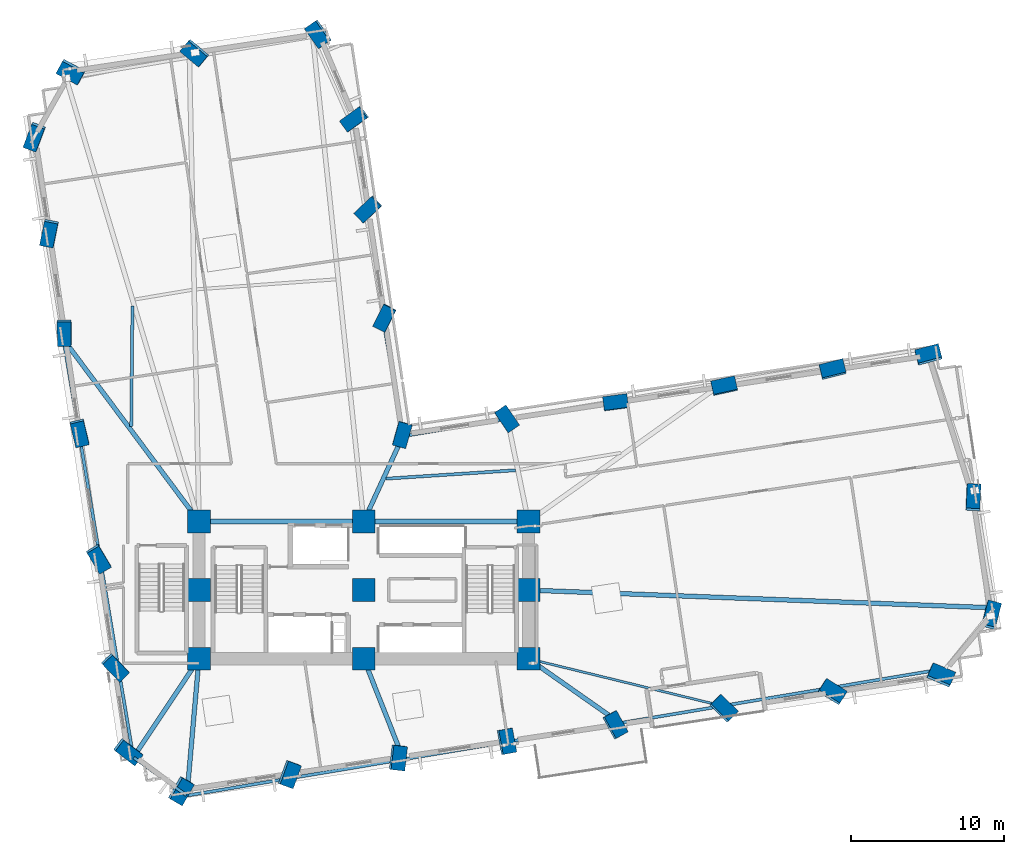
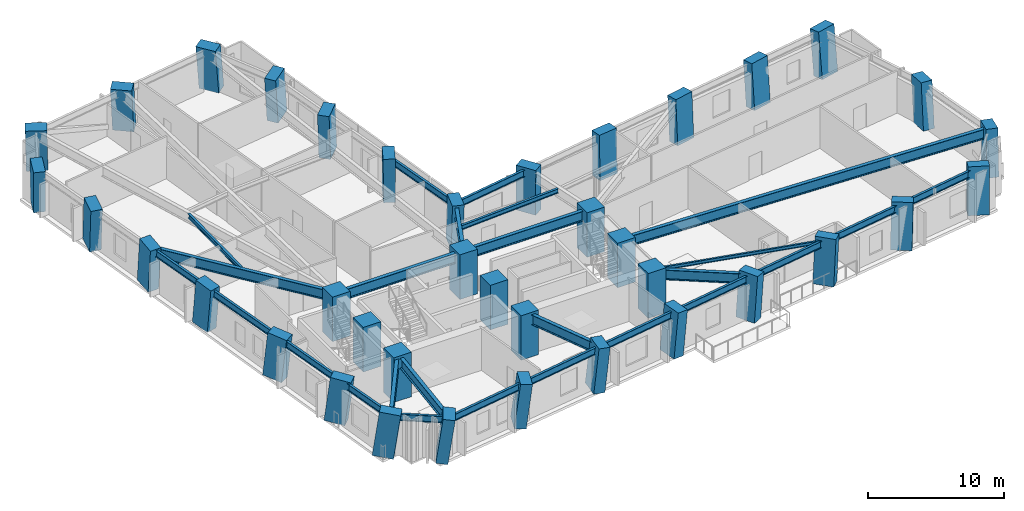
# One storey, part 1 of 15: 38 columns, 26 beams.
"""IFC4 building model written with IfcOpenShell, lengths in metres."""

from ifc_helpers import new_model, si_unit, direction, frame, origin, origin_2d, place, context, subcontext, project, spatial, rectangle, i_section, extrude, material, material_profile, profile_set, type_object, element, save


model = new_model("IFC4")

# Units and contexts
model_context = context("Model", 3, precision=1e-05, world=origin(), true_north=direction((0.0, 1.0)))
body_context = subcontext(model_context, "Body", "Model", "MODEL_VIEW")
ifc_project = project(units=[si_unit("LENGTHUNIT", "METRE"), si_unit("AREAUNIT", "SQUARE_METRE"), si_unit("VOLUMEUNIT", "CUBIC_METRE"), si_unit("PLANEANGLEUNIT", "RADIAN"), si_unit("MASSUNIT", "GRAM", prefix="KILO")], contexts=[model_context])

# Site, building, storey
site_placement = place(None, origin())
site = spatial("IfcSite", under=ifc_project, at=site_placement, CompositionType="ELEMENT")
building_placement = place(site_placement, origin())
building = spatial("IfcBuilding", under=site, at=building_placement, Name="Gaonmaruhae Medical Tower", CompositionType="ELEMENT")
storey_placement = place(building_placement, frame((0.0, 0.0, 59.0)))
storey = spatial("IfcBuildingStorey", under=building, at=storey_placement, Name="L13", CompositionType="ELEMENT", Elevation=59.0)

# Columns
ifc_material_1 = material(Name="Concrete C60/75", Category="concrete")
ifc_material_profile_1 = material_profile(ifc_material_1, rectangle(XDim=1.5, YDim=1.5, at=origin_2d()), Name="RC-1500x1500")
ifc_profile_set_1 = profile_set([ifc_material_profile_1], Name="Concrete C60/75")
column_type_1 = type_object("IfcColumnType", Name="CC-02 Zone 1 Core Column (RC-1500x1500)", PredefinedType="COLUMN", material=ifc_profile_set_1)
for number, where, z_axis, x_axis, name in (
    (1, (14.0, 7.800048828125, 0.0), (0.0, 0.0, 1.0), (1.0, 0.0, 0.0), "L13 Plumb Core Column CC11"),
    (2, (14.0, 12.300048828125, 0.0), (0.0, 0.0, 1.0), (1.0, 0.0, 0.0), "L13 Plumb Core Column CC12"),
    (3, (14.0, 16.800048828125, 0.0), (0.0, 0.0, 1.0), (1.0, 0.0, 0.0), "L13 Plumb Core Column CC13"),
    (4, (24.800048828125, 7.800048828125, 0.0), (0.0, 0.0, 1.0), (1.0, 0.0, 0.0), "L13 Plumb Core Column CC21"),
    (5, (24.800048828125, 12.300048828125, 0.0), (0.0, 0.0, 1.0), (1.0, 0.0, 0.0), "L13 Plumb Core Column CC22"),
    (6, (24.800048828125, 16.800048828125, 0.0), (0.0, 0.0, 1.0), (1.0, 0.0, 0.0), "L13 Plumb Core Column CC23"),
    (7, (35.60009765625, 7.800048828125, 0.0), (0.0, 0.0, 1.0), (1.0, 0.0, 0.0), "L13 Plumb Core Column CC31"),
    (8, (35.60009765625, 12.300048828125, 0.0), (0.0, 0.0, 1.0), (1.0, 0.0, 0.0), "L13 Plumb Core Column CC32"),
    (9, (35.60009765625, 16.800048828125, 0.0), (0.0, 0.0, 1.0), (1.0, 0.0, 0.0), "L13 Plumb Core Column CC33"),
):
    element("IfcColumn", number, at=place(storey_placement, frame(where, z_axis=z_axis, x_axis=x_axis)), inside=storey, type_object=column_type_1, Name=name, PredefinedType="COLUMN", context=body_context, shape_type="SweptSolid", body=[
        extrude(rectangle(XDim=1.5, YDim=1.5, at=origin_2d()), origin(), (0.0, 0.0, 1.0), 4.0),
    ])
ifc_material_profile_2 = material_profile(ifc_material_1, rectangle(XDim=1.60009765625, YDim=0.89990234375, at=origin_2d()), Name="RC-1600x900")
ifc_profile_set_2 = profile_set([ifc_material_profile_2], Name="Concrete C60/75")
column_type_2 = type_object("IfcColumnType", Name="TC-01 Lower Raking Tube Pier Column (RC-1600x900)", PredefinedType="COLUMN", material=ifc_profile_set_2)
column_1_placement = place(storey_placement, frame((12.779296875, -0.83056640625, 0.001708984375), z_axis=(0.105975864058, -0.0846112267, 0.990762361292), x_axis=(0.501887718623, 0.86469777143, 0.020161398238)))
element("IfcColumn", 10, at=column_1_placement, inside=storey, type_object=column_type_2, Name="L13 Perimeter Tube Column S01", PredefinedType="COLUMN", context=body_context, shape_type="SweptSolid", body=[
    extrude(rectangle(XDim=1.60009765625, YDim=0.89990234375, at=origin_2d()), origin(), (0.0, 0.0, 1.0), 4.033935546875),
])
column_2_placement = place(storey_placement, frame((19.8994140625, 0.239990234375, 0.001708984375), z_axis=(0.101572465572, -0.055579676502, 0.993274349713), x_axis=(0.345145565671, 0.938391292379, 0.017213973542)))
element("IfcColumn", 11, at=column_2_placement, inside=storey, type_object=column_type_2, Name="L13 Perimeter Tube Column S02", PredefinedType="COLUMN", context=body_context, shape_type="SweptSolid", body=[
    extrude(rectangle(XDim=1.60009765625, YDim=0.89990234375, at=origin_2d()), origin(), (0.0, 0.0, 1.0), 4.023681640625),
])
column_3_placement = place(storey_placement, frame((27.019287109375, 1.310546875, 0.001708984375), z_axis=(0.097061928974, -0.026316728394, 0.994930355226), x_axis=(0.116012789516, 0.99313518065, 0.014951442173)))
element("IfcColumn", 12, at=column_3_placement, inside=storey, type_object=column_type_2, Name="L13 Perimeter Tube Column S03", PredefinedType="COLUMN", context=body_context, shape_type="SweptSolid", body=[
    extrude(rectangle(XDim=1.60009765625, YDim=0.89990234375, at=origin_2d()), origin(), (0.0, 0.0, 1.0), 4.016845703125),
])
column_4_placement = place(storey_placement, frame((34.13916015625, 2.381103515625, 0.001708984375), z_axis=(0.092514972069, 0.002980429738, 0.995706832849), x_axis=(-0.179798499691, 0.983607197477, 0.01376156172)))
element("IfcColumn", 13, at=column_4_placement, inside=storey, type_object=column_type_2, Name="L13 Perimeter Tube Column S04", PredefinedType="COLUMN", context=body_context, shape_type="SweptSolid", body=[
    extrude(rectangle(XDim=1.60009765625, YDim=0.89990234375, at=origin_2d()), origin(), (0.0, 0.0, 1.0), 4.013916015625),
])
column_5_placement = place(storey_placement, frame((41.25927734375, 3.451416015625, 0.001708984375), z_axis=(0.087822940508, 0.032355820187, 0.995610482076), x_axis=(-0.480756753884, 0.876743589728, 0.013914793089)))
element("IfcColumn", 14, at=column_5_placement, inside=storey, type_object=column_type_2, Name="L13 Perimeter Tube Column S05", PredefinedType="COLUMN", context=body_context, shape_type="SweptSolid", body=[
    extrude(rectangle(XDim=1.60009765625, YDim=0.89990234375, at=origin_2d()), origin(), (0.0, 0.0, 1.0), 4.01416015625),
])
column_6_placement = place(storey_placement, frame((48.379150390625, 4.52197265625, 0.001708984375), z_axis=(0.083119020499, 0.061610151159, 0.994633308162), x_axis=(-0.707660412598, 0.706385257339, 0.01538208879)))
element("IfcColumn", 15, at=column_6_placement, inside=storey, type_object=column_type_2, Name="L13 Perimeter Tube Column S06", PredefinedType="COLUMN", context=body_context, shape_type="SweptSolid", body=[
    extrude(rectangle(XDim=1.60009765625, YDim=0.89990234375, at=origin_2d()), origin(), (0.0, 0.0, 1.0), 4.01806640625),
])
column_7_placement = place(storey_placement, frame((55.499267578125, 5.592529296875, 0.001708984375), z_axis=(0.078295416034, 0.090728073112, 0.992793152967), x_axis=(-0.845091693201, 0.534324419364, 0.017816985006)))
element("IfcColumn", 16, at=column_7_placement, inside=storey, type_object=column_type_2, Name="L13 Perimeter Tube Column S07", PredefinedType="COLUMN", context=body_context, shape_type="SweptSolid", body=[
    extrude(rectangle(XDim=1.60009765625, YDim=0.89990234375, at=origin_2d()), origin(), (0.0, 0.0, 1.0), 4.025634765625),
])
column_8_placement = place(storey_placement, frame((62.619140625, 6.6630859375, 0.001708984375), z_axis=(0.073425267017, 0.119694072015, 0.990091944866), x_axis=(-0.919893656997, 0.391611828806, 0.020876670152)))
element("IfcColumn", 17, at=column_8_placement, inside=storey, type_object=column_type_2, Name="L13 Perimeter Tube Column S08", PredefinedType="COLUMN", context=body_context, shape_type="SweptSolid", body=[
    extrude(rectangle(XDim=1.60009765625, YDim=0.89990234375, at=origin_2d()), origin(), (0.0, 0.0, 1.0), 4.03662109375),
])
column_9_placement = place(storey_placement, frame((65.9208984375, 10.59765625, 0.001708984375), z_axis=(0.057119322054, 0.133036643219, 0.989463811672), x_axis=(-0.2494157513, -0.95775452857, 0.143171386827)))
element("IfcColumn", 18, at=column_9_placement, inside=storey, type_object=column_type_2, Name="L13 Perimeter Tube Column E01", PredefinedType="COLUMN", context=body_context, shape_type="SweptSolid", body=[
    extrude(rectangle(XDim=1.60009765625, YDim=0.89990234375, at=origin_2d()), origin(), (0.0, 0.0, 1.0), 4.0390625),
])
column_10_placement = place(storey_placement, frame((64.76123046875, 18.310791015625, 0.001708984375), z_axis=(0.025557415951, 0.128271580531, 0.991409713548), x_axis=(-0.045765713476, -0.990543708864, 0.129339322325)))
element("IfcColumn", 19, at=column_10_placement, inside=storey, type_object=column_type_2, Name="L13 Perimeter Tube Column E02", PredefinedType="COLUMN", context=body_context, shape_type="SweptSolid", body=[
    extrude(rectangle(XDim=1.60009765625, YDim=0.89990234375, at=origin_2d()), origin(), (0.0, 0.0, 1.0), 4.03125),
])
column_11_placement = place(storey_placement, frame((61.835693359375, 27.68017578125, 0.001708984375), z_axis=(-0.012861832175, 0.116120503694, 0.993151852385), x_axis=(-0.966620527466, -0.255622879476, 0.017369495388)))
element("IfcColumn", 20, at=column_11_placement, inside=storey, type_object=column_type_2, Name="L13 Perimeter Tube Column E03", PredefinedType="COLUMN", context=body_context, shape_type="SweptSolid", body=[
    extrude(rectangle(XDim=1.60009765625, YDim=0.89990234375, at=origin_2d()), origin(), (0.0, 0.0, 1.0), 4.024169921875),
])
column_12_placement = place(storey_placement, frame((55.55615234375, 26.73583984375, 0.001708984375), z_axis=(-0.008760077746, 0.090581637247, 0.995850504861), x_axis=(-0.970042481698, -0.242558297354, 0.013529822077)))
element("IfcColumn", 21, at=column_12_placement, inside=storey, type_object=column_type_2, Name="L13 Perimeter Tube Column EN01", PredefinedType="COLUMN", context=body_context, shape_type="SweptSolid", body=[
    extrude(rectangle(XDim=1.60009765625, YDim=0.89990234375, at=origin_2d()), origin(), (0.0, 0.0, 1.0), 4.01318359375),
])
column_13_placement = place(storey_placement, frame((48.436279296875, 25.66552734375, 0.001708984375), z_axis=(-0.004085112023, 0.061337652165, 0.998108713661), x_axis=(-0.976839538376, -0.213777892359, 0.00913942032)))
element("IfcColumn", 22, at=column_13_placement, inside=storey, type_object=column_type_2, Name="L13 Perimeter Tube Column EN02", PredefinedType="COLUMN", context=body_context, shape_type="SweptSolid", body=[
    extrude(rectangle(XDim=1.60009765625, YDim=0.89990234375, at=origin_2d()), origin(), (0.0, 0.0, 1.0), 4.004150390625),
])
column_14_placement = place(storey_placement, frame((41.316162109375, 24.594970703125, 0.001708984375), z_axis=(0.000610560717, 0.031993381587, 0.999487894249), x_axis=(-0.991541763684, -0.129700801912, 0.00475739999)))
element("IfcColumn", 23, at=column_14_placement, inside=storey, type_object=column_type_2, Name="L13 Perimeter Tube Column EN03", PredefinedType="COLUMN", context=body_context, shape_type="SweptSolid", body=[
    extrude(rectangle(XDim=1.60009765625, YDim=0.89990234375, at=origin_2d()), origin(), (0.0, 0.0, 1.0), 3.99853515625),
])
column_15_placement = place(storey_placement, frame((34.1962890625, 23.5244140625, 0.001708984375), z_axis=(0.005253423551, 0.002504539135, 0.999983064269), x_axis=(-0.559757709656, 0.828655874178, 0.000865257922)))
element("IfcColumn", 24, at=column_15_placement, inside=storey, type_object=column_type_2, Name="L13 Perimeter Tube Column EN04", PredefinedType="COLUMN", context=body_context, shape_type="SweptSolid", body=[
    extrude(rectangle(XDim=1.60009765625, YDim=0.89990234375, at=origin_2d()), origin(), (0.0, 0.0, 1.0), 3.99658203125),
])
column_16_placement = place(storey_placement, frame((27.323486328125, 22.4912109375, 0.001708984375), z_axis=(0.009770218113, -0.025952141862, 0.999615440642), x_axis=(0.272727110084, 0.961832825284, 0.022305596404)))
element("IfcColumn", 25, at=column_16_placement, inside=storey, type_object=column_type_2, Name="L13 Perimeter Tube Column KN01", PredefinedType="COLUMN", context=body_context, shape_type="SweptSolid", body=[
    extrude(rectangle(XDim=1.60009765625, YDim=0.89990234375, at=origin_2d()), origin(), (0.0, 0.0, 1.0), 3.998046875),
])
column_17_placement = place(storey_placement, frame((26.171142578125, 30.155029296875, 0.001708984375), z_axis=(-0.021914585822, -0.030949011175, 0.999280696119), x_axis=(0.449715530526, 0.892384243507, 0.037500713923)))
element("IfcColumn", 26, at=column_17_placement, inside=storey, type_object=column_type_2, Name="L13 Perimeter Tube Column NE01", PredefinedType="COLUMN", context=body_context, shape_type="SweptSolid", body=[
    extrude(rectangle(XDim=1.60009765625, YDim=0.89990234375, at=origin_2d()), origin(), (0.0, 0.0, 1.0), 3.99951171875),
])
column_18_placement = place(storey_placement, frame((25.100830078125, 37.27490234375, 0.001708984375), z_axis=(-0.051335188808, -0.035544435956, 0.998048742027), x_axis=(0.726800201877, 0.684067930172, 0.061745716144)))
element("IfcColumn", 27, at=column_18_placement, inside=storey, type_object=column_type_2, Name="L13 Perimeter Tube Column NE02", PredefinedType="COLUMN", context=body_context, shape_type="SweptSolid", body=[
    extrude(rectangle(XDim=1.60009765625, YDim=0.89990234375, at=origin_2d()), origin(), (0.0, 0.0, 1.0), 4.00439453125),
])
column_19_placement = place(storey_placement, frame((24.208740234375, 43.208251953125, 0.001708984375), z_axis=(-0.075715415354, -0.039379319722, 0.996351566996), x_axis=(0.805520773142, 0.586526828965, 0.084395277955)))
element("IfcColumn", 28, at=column_19_placement, inside=storey, type_object=column_type_2, Name="L13 Perimeter Tube Column NE03", PredefinedType="COLUMN", context=body_context, shape_type="SweptSolid", body=[
    extrude(rectangle(XDim=1.60009765625, YDim=0.89990234375, at=origin_2d()), origin(), (0.0, 0.0, 1.0), 4.01123046875),
])
column_20_placement = place(storey_placement, frame((21.85546875, 48.770263671875, 0.001708984375), z_axis=(-0.098301160351, -0.04918093878, 0.993940701015), x_axis=(0.574616565442, -0.818259586508, 0.016341719877)))
element("IfcColumn", 29, at=column_20_placement, inside=storey, type_object=column_type_2, Name="L13 Perimeter Tube Column N01", PredefinedType="COLUMN", context=body_context, shape_type="SweptSolid", body=[
    extrude(rectangle(XDim=1.60009765625, YDim=0.89990234375, at=origin_2d()), origin(), (0.0, 0.0, 1.0), 4.02099609375),
])
column_21_placement = place(storey_placement, frame((13.746826171875, 47.551025390625, 0.001708984375), z_axis=(-0.092921619704, -0.082435357337, 0.992254999711), x_axis=(0.766615105201, -0.64184127574, 0.018467734958)))
element("IfcColumn", 30, at=column_21_placement, inside=storey, type_object=column_type_2, Name="L13 Perimeter Tube Column N02", PredefinedType="COLUMN", context=body_context, shape_type="SweptSolid", body=[
    extrude(rectangle(XDim=1.60009765625, YDim=0.89990234375, at=origin_2d()), origin(), (0.0, 0.0, 1.0), 4.02783203125),
])
column_22_placement = place(storey_placement, frame((5.637939453125, 46.33203125, 0.001708984375), z_axis=(-0.087401375446, -0.115447183335, 0.989460937799), x_axis=(0.877219279252, -0.479607017273, 0.021527774881)))
element("IfcColumn", 31, at=column_22_placement, inside=storey, type_object=column_type_2, Name="L13 Perimeter Tube Column N03", PredefinedType="COLUMN", context=body_context, shape_type="SweptSolid", body=[
    extrude(rectangle(XDim=1.60009765625, YDim=0.89990234375, at=origin_2d()), origin(), (0.0, 0.0, 1.0), 4.0390625),
])
column_23_placement = place(storey_placement, frame((3.24365234375, 42.07861328125, 0.001708984375), z_axis=(-0.06982815003, -0.125086097327, 0.989685554971), x_axis=(0.347229843734, 0.927018097082, 0.141664686156)))
element("IfcColumn", 32, at=column_23_placement, inside=storey, type_object=column_type_2, Name="L13 Perimeter Tube Column W01", PredefinedType="COLUMN", context=body_context, shape_type="SweptSolid", body=[
    extrude(rectangle(XDim=1.60009765625, YDim=0.89990234375, at=origin_2d()), origin(), (0.0, 0.0, 1.0), 4.038330078125),
])
column_24_placement = place(storey_placement, frame((4.195068359375, 35.749755859375, 0.001708984375), z_axis=(-0.043979168177, -0.121215310638, 0.991651491822), x_axis=(0.194699822044, 0.972539038983, 0.127513908846)))
element("IfcColumn", 33, at=column_24_placement, inside=storey, type_object=column_type_2, Name="L13 Perimeter Tube Column W02", PredefinedType="COLUMN", context=body_context, shape_type="SweptSolid", body=[
    extrude(rectangle(XDim=1.60009765625, YDim=0.89990234375, at=origin_2d()), origin(), (0.0, 0.0, 1.0), 4.0302734375),
])
column_25_placement = place(storey_placement, frame((5.176513671875, 29.22314453125, 0.001708984375), z_axis=(-0.017226797387, -0.117130090682, 0.99296715923), x_axis=(-0.00421044589, 0.993114222476, 0.117074391996)))
element("IfcColumn", 34, at=column_25_placement, inside=storey, type_object=column_type_2, Name="L13 Perimeter Tube Column W03", PredefinedType="COLUMN", context=body_context, shape_type="SweptSolid", body=[
    extrude(rectangle(XDim=1.60009765625, YDim=0.89990234375, at=origin_2d()), origin(), (0.0, 0.0, 1.0), 4.02490234375),
])
column_26_placement = place(storey_placement, frame((6.165283203125, 22.64697265625, 0.001708984375), z_axis=(0.009771720065, -0.112890679013, 0.993559363138), x_axis=(-0.232847622535, 0.966036229654, 0.112053503628)))
element("IfcColumn", 35, at=column_26_placement, inside=storey, type_object=column_type_2, Name="L13 Perimeter Tube Column W04", PredefinedType="COLUMN", context=body_context, shape_type="SweptSolid", body=[
    extrude(rectangle(XDim=1.60009765625, YDim=0.89990234375, at=origin_2d()), origin(), (0.0, 0.0, 1.0), 4.0224609375),
])
column_27_placement = place(storey_placement, frame((7.40673828125, 14.389892578125, 0.001708984375), z_axis=(0.04374655457, -0.107455129187, 0.993247015689), x_axis=(-0.508054277806, 0.853649814663, 0.114729441421)))
element("IfcColumn", 36, at=column_27_placement, inside=storey, type_object=column_type_2, Name="L13 Perimeter Tube Column W05", PredefinedType="COLUMN", context=body_context, shape_type="SweptSolid", body=[
    extrude(rectangle(XDim=1.60009765625, YDim=0.89990234375, at=origin_2d()), origin(), (0.0, 0.0, 1.0), 4.023681640625),
])
column_28_placement = place(storey_placement, frame((8.47705078125, 7.27001953125, 0.001708984375), z_axis=(0.072963058772, -0.102717927424, 0.992030956896), x_axis=(-0.689304816456, 0.713677219144, 0.124594128617)))
element("IfcColumn", 37, at=column_28_placement, inside=storey, type_object=column_type_2, Name="L13 Perimeter Tube Column W06", PredefinedType="COLUMN", context=body_context, shape_type="SweptSolid", body=[
    extrude(rectangle(XDim=1.60009765625, YDim=0.89990234375, at=origin_2d()), origin(), (0.0, 0.0, 1.0), 4.02880859375),
])
column_29_placement = place(storey_placement, frame((9.309814453125, 1.732177734375, 0.001708984375), z_axis=(0.095540344186, -0.098928728781, 0.990497425163), x_axis=(-0.787375411473, 0.601284620563, 0.136002817919)))
element("IfcColumn", 38, at=column_29_placement, inside=storey, type_object=column_type_2, Name="L13 Perimeter Tube Column W07", PredefinedType="COLUMN", context=body_context, shape_type="SweptSolid", body=[
    extrude(rectangle(XDim=1.60009765625, YDim=0.89990234375, at=origin_2d()), origin(), (0.0, 0.0, 1.0), 4.034912109375),
])

# Beams
ifc_material_2 = material(Name="Steel SM355", Category="steel")
ifc_material_profile_3 = material_profile(ifc_material_2, i_section(OverallWidth=0.199951171875, OverallDepth=0.39990234375, WebThickness=0.008056640625, FlangeThickness=0.012939453125, FilletRadius=0.012939453125, at=origin_2d()), Name="H-400x200x8x13")
ifc_profile_set_3 = profile_set([ifc_material_profile_3], Name="Steel SM355")
beam_type_1 = type_object("IfcBeamType", Name="FJ-01 Lower Zone Ward Floor Joist (H-400x200x8x13)", PredefinedType="JOIST", material=ifc_profile_set_3)
beam_1_placement = place(storey_placement, frame((34.751708984375, 20.156982421875, 3.580078125), z_axis=(-0.997896917187, -0.064820850565, 0.0), x_axis=(0.064820850565, -0.997896917187, 0.0)))
element("IfcBeam", 39, at=beam_1_placement, inside=storey, type_object=beam_type_1, Name="L13 Secondary Floor Joist FJ06", PredefinedType="JOIST", context=body_context, shape_type="SweptSolid", body=[
    extrude(i_section(OverallWidth=0.199951171875, OverallDepth=0.39990234375, WebThickness=0.008056640625, FlangeThickness=0.012939453125, FilletRadius=0.012939453125, at=origin_2d()), origin(), (0.0, 0.0, 1.0), 8.511962890625),
])
beam_2_placement = place(storey_placement, frame((9.63818359375, 30.93212890625, 3.580078125), z_axis=(-0.010379742944, -0.999946129017, 0.0), x_axis=(0.999946129017, -0.010379742944, 0.0)))
element("IfcBeam", 40, at=beam_2_placement, inside=storey, type_object=beam_type_1, Name="L13 Secondary Floor Joist FJ10", PredefinedType="JOIST", context=body_context, shape_type="SweptSolid", body=[
    extrude(i_section(OverallWidth=0.199951171875, OverallDepth=0.39990234375, WebThickness=0.008056640625, FlangeThickness=0.012939453125, FilletRadius=0.012939453125, at=origin_2d()), origin(), (0.0, 0.0, 1.0), 7.903076171875),
])
ifc_material_profile_4 = material_profile(ifc_material_2, i_section(OverallWidth=0.14990234375, OverallDepth=0.300048828125, WebThickness=0.006591796875, FlangeThickness=0.009033203125, FilletRadius=0.012939453125, at=origin_2d()), Name="H-300x150x6.5x9")
ifc_profile_set_4 = profile_set([ifc_material_profile_4], Name="Steel SM355")
beam_type_2 = type_object("IfcBeamType", Name="FJ-03 Crown Cap & Terrace Ring Beam (H-300x150x6.5x9)", PredefinedType="JOIST", material=ifc_profile_set_4)
beam_3_placement = place(storey_placement, frame((48.10888671875, 4.752197265625, 3.610107421875), z_axis=(-0.971579113331, 0.236715074592, 0.0), x_axis=(-0.236715074592, -0.971579113331, 0.0)))
element("IfcBeam", 41, at=beam_3_placement, inside=storey, type_object=beam_type_2, Name="L13 Terrace Support Tie Beam", PredefinedType="JOIST", context=body_context, shape_type="SweptSolid", body=[
    extrude(i_section(OverallWidth=0.14990234375, OverallDepth=0.300048828125, WebThickness=0.006591796875, FlangeThickness=0.009033203125, FilletRadius=0.012939453125, at=origin_2d()), origin(), (0.0, 0.0, 1.0), 12.4248046875),
])
ifc_material_3 = material(Name="Steel SM420", Category="steel")
ifc_material_profile_5 = material_profile(ifc_material_3, i_section(OverallWidth=0.300048828125, OverallDepth=0.89990234375, WebThickness=0.01611328125, FlangeThickness=0.028076171875, FilletRadius=0.01806640625, at=origin_2d()), Name="H-900x300x16x28")
ifc_profile_set_5 = profile_set([ifc_material_profile_5], Name="Steel SM420")
beam_type_3 = type_object("IfcBeamType", Name="PG-01 Zone 1 Radial Floor Girder (H-900x300x16x28)", PredefinedType="BEAM", material=ifc_profile_set_5)
for number, where, z_axis, x_axis, name in (
    (42, (14.050048828125, 16.800048828125, 3.330078125), (1.0, 0.0, 0.0), (0.0, 1.0, 0.0), "L13 Beam BM-L13-CG-N1"),
    (43, (24.85009765625, 16.800048828125, 3.330078125), (1.0, 0.0, 0.0), (0.0, 1.0, 0.0), "L13 Beam BM-L13-CG-N2"),
):
    element("IfcBeam", number, at=place(storey_placement, frame(where, z_axis=z_axis, x_axis=x_axis)), inside=storey, type_object=beam_type_3, Name=name, PredefinedType="BEAM", context=body_context, shape_type="SweptSolid", body=[
        extrude(i_section(OverallWidth=0.300048828125, OverallDepth=0.89990234375, WebThickness=0.01611328125, FlangeThickness=0.028076171875, FilletRadius=0.01806640625, at=origin_2d()), origin(), (0.0, 0.0, 1.0), 10.699951171875),
    ])
beam_4_placement = place(storey_placement, frame((13.99560546875, 7.750244140625, 3.330078125), z_axis=(-0.088039397466, -0.996116993377, 0.0), x_axis=(0.996116993377, -0.088039397466, 0.0)))
element("IfcBeam", 44, at=beam_4_placement, inside=storey, type_object=beam_type_3, Name="L13 Radial Primary Girder S01", PredefinedType="BEAM", context=body_context, shape_type="SweptSolid", body=[
    extrude(i_section(OverallWidth=0.300048828125, OverallDepth=0.89990234375, WebThickness=0.01611328125, FlangeThickness=0.028076171875, FilletRadius=0.01806640625, at=origin_2d()), origin(), (0.0, 0.0, 1.0), 8.9072265625),
])
beam_5_placement = place(storey_placement, frame((24.818359375, 7.75341796875, 3.330078125), z_axis=(0.367920793018, -0.929857134223, 0.0), x_axis=(0.929857134223, 0.367920793018, 0.0)))
element("IfcBeam", 45, at=beam_5_placement, inside=storey, type_object=beam_type_3, Name="L13 Radial Primary Girder S03", PredefinedType="BEAM", context=body_context, shape_type="SweptSolid", body=[
    extrude(i_section(OverallWidth=0.300048828125, OverallDepth=0.89990234375, WebThickness=0.01611328125, FlangeThickness=0.028076171875, FilletRadius=0.01806640625, at=origin_2d()), origin(), (0.0, 0.0, 1.0), 6.99267578125),
])
beam_6_placement = place(storey_placement, frame((35.640869140625, 7.771240234375, 3.330078125), z_axis=(0.818582267523, -0.574389302909, 0.0), x_axis=(0.574389302909, 0.818582267523, 0.0)))
element("IfcBeam", 46, at=beam_6_placement, inside=storey, type_object=beam_type_3, Name="L13 Radial Primary Girder S05", PredefinedType="BEAM", context=body_context, shape_type="SweptSolid", body=[
    extrude(i_section(OverallWidth=0.300048828125, OverallDepth=0.89990234375, WebThickness=0.01611328125, FlangeThickness=0.028076171875, FilletRadius=0.01806640625, at=origin_2d()), origin(), (0.0, 0.0, 1.0), 7.244384765625),
])
beam_7_placement = place(storey_placement, frame((35.64990234375, 12.298095703125, 3.330078125), z_axis=(0.999274146147, -0.038094367598, 0.0), x_axis=(0.038094367598, 0.999274146147, 0.0)))
element("IfcBeam", 47, at=beam_7_placement, inside=storey, type_object=beam_type_3, Name="L13 Radial Primary Girder E01", PredefinedType="BEAM", context=body_context, shape_type="SweptSolid", body=[
    extrude(i_section(OverallWidth=0.300048828125, OverallDepth=0.89990234375, WebThickness=0.01611328125, FlangeThickness=0.028076171875, FilletRadius=0.01806640625, at=origin_2d()), origin(), (0.0, 0.0, 1.0), 30.47412109375),
])
beam_8_placement = place(storey_placement, frame((24.82080078125, 16.845458984375, 3.330078125), z_axis=(0.416891025845, 0.908956474519, 0.0), x_axis=(-0.908956474519, 0.416891025845, 0.0)))
element("IfcBeam", 48, at=beam_8_placement, inside=storey, type_object=beam_type_3, Name="L13 Radial Primary Girder KN01", PredefinedType="BEAM", context=body_context, shape_type="SweptSolid", body=[
    extrude(i_section(OverallWidth=0.300048828125, OverallDepth=0.89990234375, WebThickness=0.01611328125, FlangeThickness=0.028076171875, FilletRadius=0.01806640625, at=origin_2d()), origin(), (0.0, 0.0, 1.0), 6.047119140625),
])
beam_9_placement = place(storey_placement, frame((13.97021484375, 16.840087890625, 3.330078125), z_axis=(-0.596957181515, 0.80227309779, 0.0), x_axis=(-0.80227309779, -0.596957181515, 0.0)))
element("IfcBeam", 49, at=beam_9_placement, inside=storey, type_object=beam_type_3, Name="L13 Radial Primary Girder W03", PredefinedType="BEAM", context=body_context, shape_type="SweptSolid", body=[
    extrude(i_section(OverallWidth=0.300048828125, OverallDepth=0.89990234375, WebThickness=0.01611328125, FlangeThickness=0.028076171875, FilletRadius=0.01806640625, at=origin_2d()), origin(), (0.0, 0.0, 1.0), 14.797119140625),
])
beam_10_placement = place(storey_placement, frame((13.972412109375, 7.75830078125, 3.330078125), z_axis=(-0.554090282259, -0.832456580913, 0.0), x_axis=(0.832456580913, -0.554090282259, 0.0)))
element("IfcBeam", 50, at=beam_10_placement, inside=storey, type_object=beam_type_3, Name="L13 Radial Primary Girder W07", PredefinedType="BEAM", context=body_context, shape_type="SweptSolid", body=[
    extrude(i_section(OverallWidth=0.300048828125, OverallDepth=0.89990234375, WebThickness=0.01611328125, FlangeThickness=0.028076171875, FilletRadius=0.01806640625, at=origin_2d()), origin(), (0.0, 0.0, 1.0), 7.6689453125),
])
ifc_material_profile_6 = material_profile(ifc_material_2, i_section(OverallWidth=0.199951171875, OverallDepth=0.60009765625, WebThickness=0.010986328125, FlangeThickness=0.01708984375, FilletRadius=0.012939453125, at=origin_2d()), Name="H-600x200x11x17")
ifc_profile_set_6 = profile_set([ifc_material_profile_6], Name="Steel SM355")
beam_type_4 = type_object("IfcBeamType", Name="SP-01 Lower Perimeter Spandrel Beam (H-600x200x11x17)", PredefinedType="SPANDREL", material=ifc_profile_set_6)
for number, where, z_axis, x_axis, name in (
    (51, (13.246337890625, -1.16552734375, 3.47998046875), (0.986282491299, 0.165066190833, 0.0), (-0.165066190833, 0.986282491299, 0.0), "L13 Perimeter Spandrel Beam S01-S02"),
    (52, (20.34765625, 0.02294921875, 3.47998046875), (0.986288073046, 0.16503283603, 0.0), (-0.16503283603, 0.986288073046, 0.0), "L13 Perimeter Spandrel Beam S02-S03"),
):
    element("IfcBeam", number, at=place(storey_placement, frame(where, z_axis=z_axis, x_axis=x_axis)), inside=storey, type_object=beam_type_4, Name=name, PredefinedType="SPANDREL", context=body_context, shape_type="SweptSolid", body=[
        extrude(i_section(OverallWidth=0.199951171875, OverallDepth=0.60009765625, WebThickness=0.010986328125, FlangeThickness=0.01708984375, FilletRadius=0.012939453125, at=origin_2d()), origin(), (0.0, 0.0, 1.0), 7.1201171875),
    ])
beam_11_placement = place(storey_placement, frame((27.448974609375, 1.211181640625, 3.47998046875), z_axis=(0.986281556991, 0.165071773297, 0.0), x_axis=(-0.165071773297, 0.986281556991, 0.0)))
element("IfcBeam", 53, at=beam_11_placement, inside=storey, type_object=beam_type_4, Name="L13 Perimeter Spandrel Beam S03-S04", PredefinedType="SPANDREL", context=body_context, shape_type="SweptSolid", body=[
    extrude(i_section(OverallWidth=0.199951171875, OverallDepth=0.60009765625, WebThickness=0.010986328125, FlangeThickness=0.01708984375, FilletRadius=0.012939453125, at=origin_2d()), origin(), (0.0, 0.0, 1.0), 7.119873046875),
])
for number, where, z_axis, x_axis, name in (
    (54, (34.550048828125, 2.399658203125, 3.47998046875), (0.986288073046, 0.16503283603, 0.0), (-0.16503283603, 0.986288073046, 0.0), "L13 Perimeter Spandrel Beam S04-S05"),
    (55, (41.6513671875, 3.587890625, 3.4599609375), (0.986282491299, 0.165066190833, 0.0), (-0.165066190833, 0.986282491299, 0.0), "L13 Perimeter Spandrel Beam S05-S06"),
    (56, (48.752685546875, 4.7763671875, 3.4599609375), (0.986288073046, 0.16503283603, 0.0), (-0.16503283603, 0.986288073046, 0.0), "L13 Perimeter Spandrel Beam S06-S07"),
):
    element("IfcBeam", number, at=place(storey_placement, frame(where, z_axis=z_axis, x_axis=x_axis)), inside=storey, type_object=beam_type_4, Name=name, PredefinedType="SPANDREL", context=body_context, shape_type="SweptSolid", body=[
        extrude(i_section(OverallWidth=0.199951171875, OverallDepth=0.60009765625, WebThickness=0.010986328125, FlangeThickness=0.01708984375, FilletRadius=0.012939453125, at=origin_2d()), origin(), (0.0, 0.0, 1.0), 7.1201171875),
    ])
beam_12_placement = place(storey_placement, frame((55.85400390625, 5.964599609375, 3.47998046875), z_axis=(0.986281556991, 0.165071773297, 0.0), x_axis=(-0.165071773297, 0.986281556991, 0.0)))
element("IfcBeam", 57, at=beam_12_placement, inside=storey, type_object=beam_type_4, Name="L13 Perimeter Spandrel Beam S07-S08", PredefinedType="SPANDREL", context=body_context, shape_type="SweptSolid", body=[
    extrude(i_section(OverallWidth=0.199951171875, OverallDepth=0.60009765625, WebThickness=0.010986328125, FlangeThickness=0.01708984375, FilletRadius=0.012939453125, at=origin_2d()), origin(), (0.0, 0.0, 1.0), 7.119873046875),
])
beam_13_placement = place(storey_placement, frame((34.177978515625, 23.52783203125, 3.47998046875), z_axis=(-0.98628807023, -0.165032852855, 0.0), x_axis=(0.165032852855, -0.98628807023, 0.0)))
element("IfcBeam", 58, at=beam_13_placement, inside=storey, type_object=beam_type_4, Name="L13 Perimeter Spandrel Beam EN04-KN01", PredefinedType="SPANDREL", context=body_context, shape_type="SweptSolid", body=[
    extrude(i_section(OverallWidth=0.199951171875, OverallDepth=0.60009765625, WebThickness=0.010986328125, FlangeThickness=0.01708984375, FilletRadius=0.012939453125, at=origin_2d()), origin(), (0.0, 0.0, 1.0), 6.8701171875),
])
beam_14_placement = place(storey_placement, frame((27.35595703125, 22.427001953125, 3.47998046875), z_axis=(-0.165044176834, 0.986286175353, 0.0), x_axis=(-0.986286175353, -0.165044176834, 0.0)))
element("IfcBeam", 59, at=beam_14_placement, inside=storey, type_object=beam_type_4, Name="L13 Perimeter Spandrel Beam KN01-NE01", PredefinedType="SPANDREL", context=body_context, shape_type="SweptSolid", body=[
    extrude(i_section(OverallWidth=0.199951171875, OverallDepth=0.60009765625, WebThickness=0.010986328125, FlangeThickness=0.01708984375, FilletRadius=0.012939453125, at=origin_2d()), origin(), (0.0, 0.0, 1.0), 7.669921875),
])
beam_15_placement = place(storey_placement, frame((5.11376953125, 28.712158203125, 3.47998046875), z_axis=(0.165025645232, -0.986289276235, 0.0), x_axis=(0.986289276235, 0.165025645232, 0.0)))
element("IfcBeam", 60, at=beam_15_placement, inside=storey, type_object=beam_type_4, Name="L13 Perimeter Spandrel Beam W03-W04", PredefinedType="SPANDREL", context=body_context, shape_type="SweptSolid", body=[
    extrude(i_section(OverallWidth=0.199951171875, OverallDepth=0.60009765625, WebThickness=0.010986328125, FlangeThickness=0.01708984375, FilletRadius=0.012939453125, at=origin_2d()), origin(), (0.0, 0.0, 1.0), 6.570068359375),
])
beam_16_placement = place(storey_placement, frame((6.211181640625, 22.1533203125, 3.47998046875), z_axis=(0.165050001694, -0.986285200609, 0.0), x_axis=(0.986285200609, 0.165050001694, 0.0)))
element("IfcBeam", 61, at=beam_16_placement, inside=storey, type_object=beam_type_4, Name="L13 Perimeter Spandrel Beam W04-W05", PredefinedType="SPANDREL", context=body_context, shape_type="SweptSolid", body=[
    extrude(i_section(OverallWidth=0.199951171875, OverallDepth=0.60009765625, WebThickness=0.010986328125, FlangeThickness=0.01708984375, FilletRadius=0.012939453125, at=origin_2d()), origin(), (0.0, 0.0, 1.0), 8.270263671875),
])
beam_17_placement = place(storey_placement, frame((7.58935546875, 13.917724609375, 3.47998046875), z_axis=(0.16503841743, -0.986287139109, 0.0), x_axis=(0.986287139109, 0.16503841743, 0.0)))
element("IfcBeam", 62, at=beam_17_placement, inside=storey, type_object=beam_type_4, Name="L13 Perimeter Spandrel Beam W05-W06", PredefinedType="SPANDREL", context=body_context, shape_type="SweptSolid", body=[
    extrude(i_section(OverallWidth=0.199951171875, OverallDepth=0.60009765625, WebThickness=0.010986328125, FlangeThickness=0.01708984375, FilletRadius=0.012939453125, at=origin_2d()), origin(), (0.0, 0.0, 1.0), 7.119873046875),
])
beam_18_placement = place(storey_placement, frame((8.77783203125, 6.81640625, 3.47998046875), z_axis=(0.165022959166, -0.986289725663, 0.0), x_axis=(0.986289725663, 0.165022959166, 0.0)))
element("IfcBeam", 63, at=beam_18_placement, inside=storey, type_object=beam_type_4, Name="L13 Perimeter Spandrel Beam W06-W07", PredefinedType="SPANDREL", context=body_context, shape_type="SweptSolid", body=[
    extrude(i_section(OverallWidth=0.199951171875, OverallDepth=0.60009765625, WebThickness=0.010986328125, FlangeThickness=0.01708984375, FilletRadius=0.012939453125, at=origin_2d()), origin(), (0.0, 0.0, 1.0), 5.519775390625),
])
beam_19_placement = place(storey_placement, frame((9.72802734375, 1.3095703125, 3.47998046875), z_axis=(0.814111290734, -0.580708882573, 0.0), x_axis=(0.580708882573, 0.814111290734, 0.0)))
element("IfcBeam", 64, at=beam_19_placement, inside=storey, type_object=beam_type_4, Name="L13 Perimeter Spandrel Beam W07-S01", PredefinedType="SPANDREL", context=body_context, shape_type="SweptSolid", body=[
    extrude(i_section(OverallWidth=0.199951171875, OverallDepth=0.60009765625, WebThickness=0.010986328125, FlangeThickness=0.01708984375, FilletRadius=0.012939453125, at=origin_2d()), origin(), (0.0, 0.0, 1.0), 4.233154296875),
])

save(model, "model.ifc")
